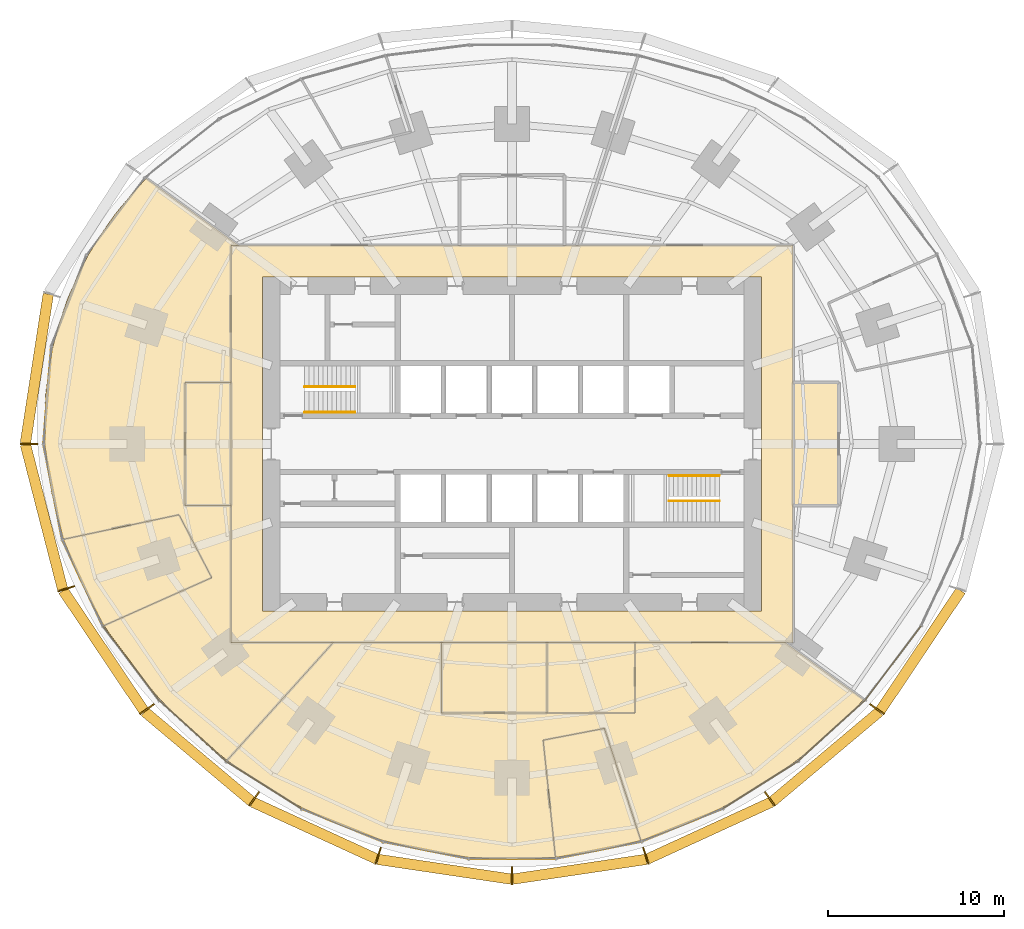
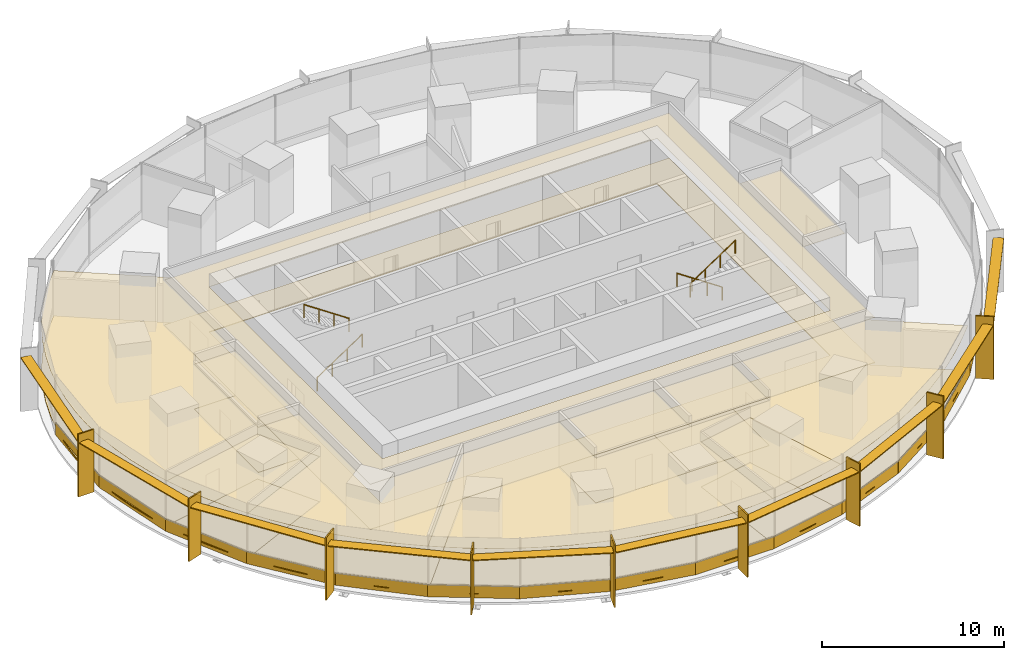
# One storey, part 14 of 15: 31 coverings, 19 shading devices, 4 railings.
"""IFC4 building model written with IfcOpenShell, lengths in metres."""

from ifc_helpers import new_model, si_unit, direction, frame, origin, origin_2d, place, context, subcontext, project, spatial, polyline, rectangle, circle, outline, extrude, material, layer, layer_set, type_object, element, save


model = new_model("IFC4")

# Units and contexts
model_context = context("Model", 3, precision=1e-05, world=origin(), true_north=direction((0.0, 1.0)))
body_context = subcontext(model_context, "Body", "Model", "MODEL_VIEW")
ifc_project = project(units=[si_unit("LENGTHUNIT", "METRE"), si_unit("AREAUNIT", "SQUARE_METRE"), si_unit("VOLUMEUNIT", "CUBIC_METRE"), si_unit("PLANEANGLEUNIT", "RADIAN"), si_unit("MASSUNIT", "GRAM", prefix="KILO")], contexts=[model_context])

# Site, building, storey
site_placement = place(None, origin())
site = spatial("IfcSite", under=ifc_project, at=site_placement, CompositionType="ELEMENT")
building_placement = place(site_placement, origin())
building = spatial("IfcBuilding", under=site, at=building_placement, Name="Marramba Exchange Tower", CompositionType="ELEMENT")
storey_placement = place(building_placement, frame((0.0, 0.0, 65.800048828125)))
storey = spatial("IfcBuildingStorey", under=building, at=storey_placement, Name="L15", CompositionType="ELEMENT", Elevation=65.800048828125)

# Shading devices
ifc_material_1 = material(Name="Aluminium blade, timber-look bronze finish", Category="wood")
ifc_layer_1 = layer(ifc_material_1, 0.080078125)
ifc_layer_set_1 = layer_set([ifc_layer_1], Name="Floor-edge blade 1000x80")
shading_device_type_1 = type_object("IfcShadingDeviceType", Name="Floor-edge blade 1000x80", PredefinedType="USERDEFINED", material=ifc_layer_set_1)
for number, where, z_axis, x_axis, name in (
    (1, (-27.5, 0.0, -0.16015625), (0.0, 0.0, 1.0), (-1.0, 0.0, 0.0), "Floor-edge blade FB1 L15 TC11"),
    (2, (-25.3740234375, -8.24462890625, -0.16015625), (0.0, 0.0, 1.0), (-0.951056516295, -0.309016994375, 0.0), "Floor-edge blade FB1 L15 TC12"),
    (3, (-20.773193359375, -15.092529296875, -0.16015625), (0.0, 0.0, 1.0), (-0.809016994375, -0.587785252292, 0.0), "Floor-edge blade FB1 L15 TC13"),
    (4, (-14.6787109375, -20.20361328125, -0.16015625), (0.0, 0.0, 1.0), (-0.587785252292, -0.809016994375, 0.0), "Floor-edge blade FB1 L15 TC14"),
    (5, (-7.61767578125, -23.444580078125, -0.16015625), (0.0, 0.0, 1.0), (-0.309016994375, -0.951056516295, 0.0), "Floor-edge blade FB1 L15 TC15"),
    (6, (0.0, -24.572021484375, -0.16015625), (0.0, 0.0, 1.0), (0.0, -1.0, 0.0), "Floor-edge blade FB1 L15 TC16"),
    (7, (7.61767578125, -23.444580078125, -0.16015625), (0.0, 0.0, 1.0), (0.309016994375, -0.951056516295, 0.0), "Floor-edge blade FB1 L15 TC17"),
    (8, (14.6787109375, -20.20361328125, -0.16015625), (0.0, 0.0, 1.0), (0.587785252292, -0.809016994375, 0.0), "Floor-edge blade FB1 L15 TC18"),
    (9, (20.773193359375, -15.092529296875, -0.16015625), (0.0, 0.0, 1.0), (0.809016994375, -0.587785252292, 0.0), "Floor-edge blade FB1 L15 TC19"),
):
    element("IfcShadingDevice", number, at=place(storey_placement, frame(where, z_axis=z_axis, x_axis=x_axis)), inside=storey, type_object=shading_device_type_1, Name=name, ObjectType="FIN", PredefinedType="USERDEFINED", context=body_context, shape_type="SweptSolid", body=[
        extrude(rectangle(XDim=1.0, YDim=0.080078125, at=origin_2d()), origin(), (0.0, 0.0, 1.0), 4.199951171875),
    ])

# Coverings
ifc_material_2 = material(Name="Steel raised access floor panels", Category="steel")
ifc_layer_2 = layer(ifc_material_2, 0.050048828125)
ifc_layer_set_2 = layer_set([ifc_layer_2], Name="Raised access floor 300")
covering_type_1 = type_object("IfcCoveringType", Name="Raised access floor 300", PredefinedType="FLOORING", material=ifc_layer_set_2)
covering_1_placement = place(storey_placement, frame((0.0, 0.0, 0.25)))
element("IfcCovering", 10, at=covering_1_placement, inside=storey, type_object=covering_type_1, Name="Raised access floor RAF1 L15 Trading Floor 2", PredefinedType="FLOORING", context=body_context, shape_type="SweptSolid", body=[
    extrude(outline(polyline([(-16.0, 3.5), (-18.60009765625, 3.5), (-18.60009765625, -3.5), (-16.0, -3.5), (-16.0, -11.300048828125), (-10.174560546875, -11.300048828125), (-16.21435546875, -18.0078125), (-17.213623046875, -17.213623046875), (-18.1826171875, -16.371826171875), (-19.119384765625, -15.482421875), (-20.020751953125, -14.5458984375), (-20.88427734375, -13.5625), (-21.7060546875, -12.531982421875), (-22.482177734375, -11.455322265625), (-23.208251953125, -10.3330078125), (-17.08740234375, -7.60791015625), (-18.952880859375, -4.028564453125), (-25.50634765625, -5.421630859375), (-25.9013671875, -4.102294921875), (-26.213623046875, -2.755126953125), (-26.43798828125, -1.385498046875), (-26.570068359375, 0.0), (-26.6064453125, 1.394287109375), (-26.544921875, 2.7900390625), (-26.3837890625, 4.1787109375), (-26.123291015625, 5.552734375), (-25.763916015625, 6.9033203125), (-25.30859375, 8.22314453125), (-24.76025390625, 9.50439453125), (-24.12353515625, 10.740478515625), (-23.40380859375, 11.9248046875), (-22.607177734375, 13.05224609375), (-21.740478515625, 14.118408203125), (-20.810791015625, 15.119873046875), (-16.409912109375, 11.922607421875), (-15.552978515625, 11.300048828125), (-16.0, 11.300048828125), (-16.0, 3.5)])), origin(), (0.0, 0.0, 1.0), 0.050048828125),
])
covering_2_placement = place(storey_placement, frame((0.0, 0.0, 0.25)))
element("IfcCovering", 11, at=covering_2_placement, inside=storey, type_object=covering_type_1, Name="Raised access floor RAF1 L15 Trading Floor 3", PredefinedType="FLOORING", context=body_context, shape_type="SweptSolid", body=[
    extrude(outline(polyline([(20.020751953125, -14.5458984375), (19.119384765625, -15.482421875), (18.1826171875, -16.371826171875), (17.213623046875, -17.213623046875), (16.21435546875, -18.0078125), (15.1865234375, -18.75390625), (14.132080078125, -19.451171875), (13.052490234375, -20.09912109375), (11.94921875, -20.69677734375), (10.82373046875, -21.242919921875), (9.677734375, -21.736328125), (8.512451171875, -22.17578125), (7.330078125, -22.56005859375), (5.259765625, -16.18798828125), (1.771728515625, -16.857177734375), (2.47216796875, -23.5205078125), (1.2373046875, -23.611572265625), (0.0, -23.64208984375), (-1.2373046875, -23.611572265625), (-2.47216796875, -23.5205078125), (-3.701416015625, -23.368896484375), (-4.92236328125, -23.15771484375), (-6.1328125, -22.8876953125), (-7.330078125, -22.56005859375), (-8.512451171875, -22.17578125), (-9.677734375, -21.736328125), (-10.82373046875, -21.242919921875), (-11.94921875, -20.69677734375), (-13.052490234375, -20.09912109375), (-14.132080078125, -19.451171875), (-15.1865234375, -18.75390625), (-16.21435546875, -18.0078125), (-10.174560546875, -11.300048828125), (-4.0, -11.300048828125), (-4.0, -15.300048828125), (2.0, -15.300048828125), (7.0, -15.300048828125), (7.0, -11.300048828125), (15.552978515625, -11.300048828125), (20.020751953125, -14.5458984375)])), origin(), (0.0, 0.0, 1.0), 0.050048828125),
])
covering_3_placement = place(storey_placement, frame((0.0, 0.0, 0.25)))
element("IfcCovering", 12, at=covering_3_placement, inside=storey, type_object=covering_type_1, Name="Raised access floor RAF1 L15 Corridor", PredefinedType="FLOORING", context=body_context, shape_type="SweptSolid", body=[
    extrude(outline(polyline([(-16.0, 11.300048828125), (16.0, 11.300048828125), (16.0, -11.300048828125), (-16.0, -11.300048828125), (-16.0, 11.300048828125)]), holes=[polyline([(-14.199951171875, 9.5), (-14.199951171875, -9.5), (14.199951171875, -9.5), (14.199951171875, 9.5), (-14.199951171875, 9.5)])]), origin(), (0.0, 0.0, 1.0), 0.050048828125),
])
covering_4_placement = place(storey_placement, frame((0.0, 0.0, 0.25)))
element("IfcCovering", 13, at=covering_4_placement, inside=storey, type_object=covering_type_1, Name="Raised access floor RAF1 L15 Firm Principal Office 2", PredefinedType="FLOORING", context=body_context, shape_type="SweptSolid", body=[
    extrude(outline(polyline([(-23.879150390625, -9.166259765625), (-24.489501953125, -7.95703125), (-24.8916015625, -7.0341796875), (-25.033935546875, -6.707763671875), (-25.50634765625, -5.421630859375), (-18.952880859375, -4.028564453125), (-17.08740234375, -7.60791015625), (-23.208251953125, -10.3330078125), (-23.879150390625, -9.166259765625)])), origin(), (0.0, 0.0, 1.0), 0.050048828125),
])
covering_5_placement = place(storey_placement, frame((0.0, 0.0, 0.25)))
element("IfcCovering", 14, at=covering_5_placement, inside=storey, type_object=covering_type_1, Name="Raised access floor RAF1 L15 Firm Principal Office 3", PredefinedType="FLOORING", context=body_context, shape_type="SweptSolid", body=[
    extrude(outline(polyline([(6.1328125, -22.8876953125), (5.89111328125, -22.941650390625), (4.92236328125, -23.15771484375), (4.17138671875, -23.28759765625), (3.701416015625, -23.368896484375), (2.47216796875, -23.5205078125), (1.771728515625, -16.857177734375), (5.259765625, -16.18798828125), (7.330078125, -22.56005859375), (6.1328125, -22.8876953125)])), origin(), (0.0, 0.0, 1.0), 0.050048828125),
])
covering_6_placement = place(storey_placement, frame((0.0, 0.0, 0.25)))
element("IfcCovering", 15, at=covering_6_placement, inside=storey, type_object=covering_type_1, Name="Raised access floor RAF1 L15 Data Room 2", PredefinedType="FLOORING", context=body_context, shape_type="SweptSolid", body=[
    extrude(outline(polyline([(-16.0, -3.5), (-18.60009765625, -3.5), (-18.60009765625, 3.5), (-16.0, 3.5), (-16.0, -3.5)])), origin(), (0.0, 0.0, 1.0), 0.050048828125),
])
covering_7_placement = place(storey_placement, frame((0.0, 0.0, 0.25)))
element("IfcCovering", 16, at=covering_7_placement, inside=storey, type_object=covering_type_1, Name="Raised access floor RAF1 L15 Meeting Room 2", PredefinedType="FLOORING", context=body_context, shape_type="SweptSolid", body=[
    extrude(outline(polyline([(2.0, -15.300048828125), (-4.0, -15.300048828125), (-4.0, -11.300048828125), (2.0, -11.300048828125), (2.0, -15.300048828125)])), origin(), (0.0, 0.0, 1.0), 0.050048828125),
])
covering_8_placement = place(storey_placement, frame((0.0, 0.0, 0.25)))
element("IfcCovering", 17, at=covering_8_placement, inside=storey, type_object=covering_type_1, Name="Raised access floor RAF1 L15 Pantry", PredefinedType="FLOORING", context=body_context, shape_type="SweptSolid", body=[
    extrude(outline(polyline([(7.0, -15.300048828125), (2.0, -15.300048828125), (2.0, -11.300048828125), (7.0, -11.300048828125), (7.0, -15.300048828125)])), origin(), (0.0, 0.0, 1.0), 0.050048828125),
])

# Shading devices
ifc_material_3 = material(Name="Aluminium sunshade, bronze anodised", Category="aluminium")
ifc_layer_3 = layer(ifc_material_3, 0.06005859375)
ifc_layer_set_3 = layer_set([ifc_layer_3], Name="SUNSHADE blade 600x60")
shading_device_type_2 = type_object("IfcShadingDeviceType", Name="SUNSHADE blade 600x60", PredefinedType="USERDEFINED", material=ifc_layer_set_3)
shading_device_1_placement = place(storey_placement, frame((-27.04150390625, 4.2861328125, 3.4599609375), z_axis=(0.0, 0.0, 1.0), x_axis=(-0.151825486228, -0.988407315701, 0.0)))
element("IfcShadingDevice", 18, at=shading_device_1_placement, inside=storey, type_object=shading_device_type_2, Name="Sunshade SS1 L15 bay 10", ObjectType="SUNSHADE", PredefinedType="USERDEFINED", context=body_context, shape_type="SweptSolid", body=[
    extrude(rectangle(XDim=8.593017578125, YDim=0.60009765625, at=origin_2d()), origin(), (0.0, 0.0, 1.0), 0.06005859375),
])
shading_device_2_placement = place(storey_placement, frame((-26.632080078125, -4.153076171875, 3.4599609375), z_axis=(0.0, 0.0, 1.0), x_axis=(0.249024641331, -0.968497149201, 0.0)))
element("IfcShadingDevice", 19, at=shading_device_2_placement, inside=storey, type_object=shading_device_type_2, Name="Sunshade SS1 L15 bay 11", ObjectType="SUNSHADE", PredefinedType="USERDEFINED", context=body_context, shape_type="SweptSolid", body=[
    extrude(rectangle(XDim=8.49658203125, YDim=0.60009765625, at=origin_2d()), origin(), (0.0, 0.0, 1.0), 0.06005859375),
])
shading_device_3_placement = place(storey_placement, frame((-23.24951171875, -11.75830078125, 3.4599609375), z_axis=(0.0, 0.0, 1.0), x_axis=(0.556924164761, -0.830563347798, 0.0)))
element("IfcShadingDevice", 20, at=shading_device_3_placement, inside=storey, type_object=shading_device_type_2, Name="Sunshade SS1 L15 bay 12", ObjectType="SUNSHADE", PredefinedType="USERDEFINED", context=body_context, shape_type="SweptSolid", body=[
    extrude(rectangle(XDim=8.232177734375, YDim=0.60009765625, at=origin_2d()), origin(), (0.0, 0.0, 1.0), 0.06005859375),
])
shading_device_4_placement = place(storey_placement, frame((-17.86572265625, -17.787841796875, 3.4599609375), z_axis=(0.0, 0.0, 1.0), x_axis=(0.765776068523, -0.643107310546, 0.0)))
element("IfcShadingDevice", 21, at=shading_device_4_placement, inside=storey, type_object=shading_device_type_2, Name="Sunshade SS1 L15 bay 13", ObjectType="SUNSHADE", PredefinedType="USERDEFINED", context=body_context, shape_type="SweptSolid", body=[
    extrude(rectangle(XDim=7.936279296875, YDim=0.60009765625, at=origin_2d()), origin(), (0.0, 0.0, 1.0), 0.06005859375),
])
shading_device_5_placement = place(storey_placement, frame((-11.23779296875, -22.0, 3.4599609375), z_axis=(0.0, 0.0, 1.0), x_axis=(0.908703542008, -0.417442059144, 0.0)))
element("IfcShadingDevice", 22, at=shading_device_5_placement, inside=storey, type_object=shading_device_type_2, Name="Sunshade SS1 L15 bay 14", ObjectType="SUNSHADE", PredefinedType="USERDEFINED", context=body_context, shape_type="SweptSolid", body=[
    extrude(rectangle(XDim=7.751953125, YDim=0.60009765625, at=origin_2d()), origin(), (0.0, 0.0, 1.0), 0.06005859375),
])
for number, where, z_axis, x_axis, name in (
    (23, (-3.839599609375, -24.203369140625, 3.4599609375), (0.0, 0.0, 1.0), (0.989212895923, -0.146484970356, 0.0), "Sunshade SS1 L15 bay 15"),
    (24, (3.839599609375, -24.203369140625, 3.4599609375), (0.0, 0.0, 1.0), (0.989212895923, 0.146484970356, 0.0), "Sunshade SS1 L15 bay 16"),
):
    element("IfcShadingDevice", number, at=place(storey_placement, frame(where, z_axis=z_axis, x_axis=x_axis)), inside=storey, type_object=shading_device_type_2, Name=name, ObjectType="SUNSHADE", PredefinedType="USERDEFINED", context=body_context, shape_type="SweptSolid", body=[
        extrude(rectangle(XDim=7.68310546875, YDim=0.60009765625, at=origin_2d()), origin(), (0.0, 0.0, 1.0), 0.06005859375),
    ])
shading_device_6_placement = place(storey_placement, frame((11.23779296875, -22.0, 3.4599609375), z_axis=(0.0, 0.0, 1.0), x_axis=(0.908703542008, 0.417442059144, 0.0)))
element("IfcShadingDevice", 25, at=shading_device_6_placement, inside=storey, type_object=shading_device_type_2, Name="Sunshade SS1 L15 bay 17", ObjectType="SUNSHADE", PredefinedType="USERDEFINED", context=body_context, shape_type="SweptSolid", body=[
    extrude(rectangle(XDim=7.751953125, YDim=0.60009765625, at=origin_2d()), origin(), (0.0, 0.0, 1.0), 0.06005859375),
])
shading_device_7_placement = place(storey_placement, frame((17.86572265625, -17.787841796875, 3.4599609375), z_axis=(0.0, 0.0, 1.0), x_axis=(0.765776068523, 0.643107310546, 0.0)))
element("IfcShadingDevice", 26, at=shading_device_7_placement, inside=storey, type_object=shading_device_type_2, Name="Sunshade SS1 L15 bay 18", ObjectType="SUNSHADE", PredefinedType="USERDEFINED", context=body_context, shape_type="SweptSolid", body=[
    extrude(rectangle(XDim=7.936279296875, YDim=0.60009765625, at=origin_2d()), origin(), (0.0, 0.0, 1.0), 0.06005859375),
])
shading_device_8_placement = place(storey_placement, frame((23.24951171875, -11.75830078125, 3.4599609375), z_axis=(0.0, 0.0, 1.0), x_axis=(0.556924164761, 0.830563347798, 0.0)))
element("IfcShadingDevice", 27, at=shading_device_8_placement, inside=storey, type_object=shading_device_type_2, Name="Sunshade SS1 L15 bay 19", ObjectType="SUNSHADE", PredefinedType="USERDEFINED", context=body_context, shape_type="SweptSolid", body=[
    extrude(rectangle(XDim=8.232177734375, YDim=0.60009765625, at=origin_2d()), origin(), (0.0, 0.0, 1.0), 0.06005859375),
])

# Coverings
ifc_material_4 = material(Name="Aluminium spandrel panel, bronze anodised, insulated", Category="aluminium")
ifc_layer_4 = layer(ifc_material_4, 0.050048828125)
ifc_layer_set_4 = layer_set([ifc_layer_4], Name="Spandrel panel 800")
covering_type_2 = type_object("IfcCoveringType", Name="Spandrel panel 800", PredefinedType="CLADDING", material=ifc_layer_set_4)
covering_9_placement = place(storey_placement, frame((-26.42578125, 2.78466796875, 0.0), z_axis=(0.0, 0.0, 1.0), x_axis=(-0.080275227657, -0.996772736297, 0.0)))
element("IfcCovering", 28, at=covering_9_placement, inside=storey, type_object=covering_type_2, Name="Spandrel panel SP1 L15 F15", PredefinedType="CLADDING", context=body_context, shape_type="SweptSolid", body=[
    extrude(rectangle(XDim=5.58740234375, YDim=0.050048828125, at=origin_2d()), origin(), (0.0, 0.0, 1.0), 0.800048828125),
])
covering_10_placement = place(storey_placement, frame((-26.117431640625, -2.718994140625, 0.0), z_axis=(0.0, 0.0, 1.0), x_axis=(0.19224858127, -0.981346260501, 0.0)))
element("IfcCovering", 29, at=covering_10_placement, inside=storey, type_object=covering_type_2, Name="Spandrel panel SP1 L15 F16", PredefinedType="CLADDING", context=body_context, shape_type="SweptSolid", body=[
    extrude(rectangle(XDim=5.54150390625, YDim=0.050048828125, at=origin_2d()), origin(), (0.0, 0.0, 1.0), 0.800048828125),
])
covering_11_placement = place(storey_placement, frame((-24.432861328125, -7.90185546875, 0.0), z_axis=(0.0, 0.0, 1.0), x_axis=(0.423477213559, -0.905906755464, 0.0)))
element("IfcCovering", 30, at=covering_11_placement, inside=storey, type_object=covering_type_2, Name="Spandrel panel SP1 L15 F17", PredefinedType="CLADDING", context=body_context, shape_type="SweptSolid", body=[
    extrude(rectangle(XDim=5.439208984375, YDim=0.050048828125, at=origin_2d()), origin(), (0.0, 0.0, 1.0), 0.800048828125),
])
covering_12_placement = place(storey_placement, frame((-21.683349609375, -12.479248046875, 0.0), z_axis=(0.0, 0.0, 1.0), x_axis=(0.603040469481, -0.797710594243, 0.0)))
element("IfcCovering", 31, at=covering_12_placement, inside=storey, type_object=covering_type_2, Name="Spandrel panel SP1 L15 F18", PredefinedType="CLADDING", context=body_context, shape_type="SweptSolid", body=[
    extrude(rectangle(XDim=5.299560546875, YDim=0.050048828125, at=origin_2d()), origin(), (0.0, 0.0, 1.0), 0.800048828125),
])
covering_13_placement = place(storey_placement, frame((-18.1767578125, -16.330078125, 0.0), z_axis=(0.0, 0.0, 1.0), x_axis=(0.739589582203, -0.673058132628, 0.0)))
element("IfcCovering", 32, at=covering_13_placement, inside=storey, type_object=covering_type_2, Name="Spandrel panel SP1 L15 F19", PredefinedType="CLADDING", context=body_context, shape_type="SweptSolid", body=[
    extrude(rectangle(XDim=5.161865234375, YDim=0.050048828125, at=origin_2d()), origin(), (0.0, 0.0, 1.0), 0.800048828125),
])
covering_14_placement = place(storey_placement, frame((-14.128662109375, -19.416748046875, 0.0), z_axis=(0.0, 0.0, 1.0), x_axis=(0.845790829799, -0.533514641062, 0.0)))
element("IfcCovering", 33, at=covering_14_placement, inside=storey, type_object=covering_type_2, Name="Spandrel panel SP1 L15 F20", PredefinedType="CLADDING", context=body_context, shape_type="SweptSolid", body=[
    extrude(rectangle(XDim=5.05859375, YDim=0.050048828125, at=origin_2d()), origin(), (0.0, 0.0, 1.0), 0.800048828125),
])
covering_15_placement = place(storey_placement, frame((-9.672119140625, -21.701171875, 0.0), z_axis=(0.0, 0.0, 1.0), x_axis=(0.927340675001, -0.374218215069, 0.0)))
element("IfcCovering", 34, at=covering_15_placement, inside=storey, type_object=covering_type_2, Name="Spandrel panel SP1 L15 F21", PredefinedType="CLADDING", context=body_context, shape_type="SweptSolid", body=[
    extrude(rectangle(XDim=4.99755859375, YDim=0.050048828125, at=origin_2d()), origin(), (0.0, 0.0, 1.0), 0.800048828125),
])
covering_16_placement = place(storey_placement, frame((-4.917724609375, -23.1181640625, 0.0), z_axis=(0.0, 0.0, 1.0), x_axis=(0.981009201842, -0.193961196898, 0.0)))
element("IfcCovering", 35, at=covering_16_placement, inside=storey, type_object=covering_type_2, Name="Spandrel panel SP1 L15 F22", PredefinedType="CLADDING", context=body_context, shape_type="SweptSolid", body=[
    extrude(rectangle(XDim=4.96875, YDim=0.050048828125, at=origin_2d()), origin(), (0.0, 0.0, 1.0), 0.800048828125),
])
covering_17_placement = place(storey_placement, frame((0.0, -23.599853515625, 0.0), z_axis=(0.0, 0.0, 1.0), x_axis=(1.0, 0.0, 0.0)))
element("IfcCovering", 36, at=covering_17_placement, inside=storey, type_object=covering_type_2, Name="Spandrel panel SP1 L15 F23", PredefinedType="CLADDING", context=body_context, shape_type="SweptSolid", body=[
    extrude(rectangle(XDim=4.9609375, YDim=0.050048828125, at=origin_2d()), origin(), (0.0, 0.0, 1.0), 0.800048828125),
])
covering_18_placement = place(storey_placement, frame((4.917724609375, -23.1181640625, 0.0), z_axis=(0.0, 0.0, 1.0), x_axis=(0.981009201842, 0.193961196898, 0.0)))
element("IfcCovering", 37, at=covering_18_placement, inside=storey, type_object=covering_type_2, Name="Spandrel panel SP1 L15 F24", PredefinedType="CLADDING", context=body_context, shape_type="SweptSolid", body=[
    extrude(rectangle(XDim=4.96875, YDim=0.050048828125, at=origin_2d()), origin(), (0.0, 0.0, 1.0), 0.800048828125),
])
covering_19_placement = place(storey_placement, frame((9.672119140625, -21.701171875, 0.0), z_axis=(0.0, 0.0, 1.0), x_axis=(0.927340675001, 0.374218215069, 0.0)))
element("IfcCovering", 38, at=covering_19_placement, inside=storey, type_object=covering_type_2, Name="Spandrel panel SP1 L15 F25", PredefinedType="CLADDING", context=body_context, shape_type="SweptSolid", body=[
    extrude(rectangle(XDim=4.99755859375, YDim=0.050048828125, at=origin_2d()), origin(), (0.0, 0.0, 1.0), 0.800048828125),
])
covering_20_placement = place(storey_placement, frame((14.128662109375, -19.416748046875, 0.0), z_axis=(0.0, 0.0, 1.0), x_axis=(0.845790829799, 0.533514641062, 0.0)))
element("IfcCovering", 39, at=covering_20_placement, inside=storey, type_object=covering_type_2, Name="Spandrel panel SP1 L15 F26", PredefinedType="CLADDING", context=body_context, shape_type="SweptSolid", body=[
    extrude(rectangle(XDim=5.05859375, YDim=0.050048828125, at=origin_2d()), origin(), (0.0, 0.0, 1.0), 0.800048828125),
])
covering_21_placement = place(storey_placement, frame((18.1767578125, -16.330078125, 0.0), z_axis=(0.0, 0.0, 1.0), x_axis=(0.739589582203, 0.673058132628, 0.0)))
element("IfcCovering", 40, at=covering_21_placement, inside=storey, type_object=covering_type_2, Name="Spandrel panel SP1 L15 F27", PredefinedType="CLADDING", context=body_context, shape_type="SweptSolid", body=[
    extrude(rectangle(XDim=5.161865234375, YDim=0.050048828125, at=origin_2d()), origin(), (0.0, 0.0, 1.0), 0.800048828125),
])
covering_22_placement = place(storey_placement, frame((21.683349609375, -12.479248046875, 0.0), z_axis=(0.0, 0.0, 1.0), x_axis=(0.603040469481, 0.797710594243, 0.0)))
element("IfcCovering", 41, at=covering_22_placement, inside=storey, type_object=covering_type_2, Name="Spandrel panel SP1 L15 F28", PredefinedType="CLADDING", context=body_context, shape_type="SweptSolid", body=[
    extrude(rectangle(XDim=5.299560546875, YDim=0.050048828125, at=origin_2d()), origin(), (0.0, 0.0, 1.0), 0.800048828125),
])

# Railings
ifc_material_5 = material(Name="Stainless steel handrail", Category="steel")
railing_type = type_object("IfcRailingType", Name="Stair handrail 900", PredefinedType="HANDRAIL", material=ifc_material_5)
railing_1_placement = place(storey_placement, frame((-11.800048828125, 1.800048828125, 0.175048828125)))
element("IfcRailing", 42, at=railing_1_placement, inside=storey, type_object=railing_type, Name="Handrail HR1 ST1 L15 flight 1", PredefinedType="HANDRAIL", context=body_context, shape_type="SweptSolid", body=[
    extrude(circle(Radius=0.02392578125, at=origin_2d()), frame((0.0, 0.0, 0.8759765625), z_axis=(0.829623704247, 0.0, 0.558322943601), x_axis=(0.0, 1.0, 0.0)), (0.0, 0.0, 1.0), 3.447509765625),
    extrude(circle(Radius=0.02099609375, at=origin_2d()), origin(), (0.0, 0.0, 1.0), 0.851806640625),
    extrude(circle(Radius=0.02099609375, at=origin_2d()), frame((0.953369140625, 0.0, 0.6416015625)), (0.0, 0.0, 1.0), 0.851806640625),
    extrude(circle(Radius=0.02099609375, at=origin_2d()), frame((1.90673828125, 0.0, 1.283203125)), (0.0, 0.0, 1.0), 0.851806640625),
    extrude(circle(Radius=0.02099609375, at=origin_2d()), frame((2.860107421875, 0.0, 1.9248046875)), (0.0, 0.0, 1.0), 0.851806640625),
])
railing_2_placement = place(storey_placement, frame((-8.93994140625, 3.25, 2.27490234375)))
element("IfcRailing", 43, at=railing_2_placement, inside=storey, type_object=railing_type, Name="Handrail HR1 ST1 L15 flight 2", PredefinedType="HANDRAIL", context=body_context, shape_type="SweptSolid", body=[
    extrude(circle(Radius=0.02392578125, at=origin_2d()), frame((0.0, 0.0, 0.8759765625), z_axis=(-0.829590901723, 0.0, 0.558371682465), x_axis=(0.0, -1.0, 0.0)), (0.0, 0.0, 1.0), 3.447509765625),
    extrude(circle(Radius=0.02099609375, at=origin_2d()), origin(), (0.0, 0.0, 1.0), 0.851806640625),
    extrude(circle(Radius=0.02099609375, at=origin_2d()), frame((-0.953369140625, 0.0, 0.6416015625)), (0.0, 0.0, 1.0), 0.851806640625),
    extrude(circle(Radius=0.02099609375, at=origin_2d()), frame((-1.90673828125, 0.0, 1.283447265625)), (0.0, 0.0, 1.0), 0.851806640625),
    extrude(circle(Radius=0.02099609375, at=origin_2d()), frame((-2.860107421875, 0.0, 1.925048828125)), (0.0, 0.0, 1.0), 0.851806640625),
])
railing_3_placement = place(storey_placement, frame((11.800048828125, -1.800048828125, 0.175048828125)))
element("IfcRailing", 44, at=railing_3_placement, inside=storey, type_object=railing_type, Name="Handrail HR1 ST2 L15 flight 1", PredefinedType="HANDRAIL", context=body_context, shape_type="SweptSolid", body=[
    extrude(circle(Radius=0.02392578125, at=origin_2d()), frame((0.0, 0.0, 0.8759765625), z_axis=(-0.829623704247, 0.0, 0.558322943601), x_axis=(0.0, -1.0, 0.0)), (0.0, 0.0, 1.0), 3.447509765625),
    extrude(circle(Radius=0.02099609375, at=origin_2d()), origin(), (0.0, 0.0, 1.0), 0.851806640625),
    extrude(circle(Radius=0.02099609375, at=origin_2d()), frame((-0.953369140625, 0.0, 0.6416015625)), (0.0, 0.0, 1.0), 0.851806640625),
    extrude(circle(Radius=0.02099609375, at=origin_2d()), frame((-1.90673828125, 0.0, 1.283203125)), (0.0, 0.0, 1.0), 0.851806640625),
    extrude(circle(Radius=0.02099609375, at=origin_2d()), frame((-2.860107421875, 0.0, 1.9248046875)), (0.0, 0.0, 1.0), 0.851806640625),
])
railing_4_placement = place(storey_placement, frame((8.93994140625, -3.25, 2.27490234375)))
element("IfcRailing", 45, at=railing_4_placement, inside=storey, type_object=railing_type, Name="Handrail HR1 ST2 L15 flight 2", PredefinedType="HANDRAIL", context=body_context, shape_type="SweptSolid", body=[
    extrude(circle(Radius=0.02392578125, at=origin_2d()), frame((0.0, 0.0, 0.8759765625), z_axis=(0.829590901723, 0.0, 0.558371682465), x_axis=(0.0, 1.0, 0.0)), (0.0, 0.0, 1.0), 3.447509765625),
    extrude(circle(Radius=0.02099609375, at=origin_2d()), origin(), (0.0, 0.0, 1.0), 0.851806640625),
    extrude(circle(Radius=0.02099609375, at=origin_2d()), frame((0.953369140625, 0.0, 0.6416015625)), (0.0, 0.0, 1.0), 0.851806640625),
    extrude(circle(Radius=0.02099609375, at=origin_2d()), frame((1.90673828125, 0.0, 1.283447265625)), (0.0, 0.0, 1.0), 0.851806640625),
    extrude(circle(Radius=0.02099609375, at=origin_2d()), frame((2.860107421875, 0.0, 1.925048828125)), (0.0, 0.0, 1.0), 0.851806640625),
])

# Coverings
ifc_material_6 = material(Name="Mineral fibre ceiling tiles", Category="gypsum")
ifc_layer_5 = layer(ifc_material_6, 0.02001953125)
ifc_layer_set_5 = layer_set([ifc_layer_5], Name="Suspended ceiling 20")
covering_type_3 = type_object("IfcCoveringType", Name="Suspended ceiling 20", PredefinedType="CEILING", material=ifc_layer_set_5)
covering_23_placement = place(storey_placement, frame((0.0, 0.0, 3.300048828125)))
element("IfcCovering", 46, at=covering_23_placement, inside=storey, type_object=covering_type_3, Name="Ceiling CL1 L15 Trading Floor 2", PredefinedType="CEILING", context=body_context, shape_type="SweptSolid", body=[
    extrude(outline(polyline([(-16.0, 3.5), (-18.60009765625, 3.5), (-18.60009765625, -3.5), (-16.0, -3.5), (-16.0, -11.300048828125), (-10.174560546875, -11.300048828125), (-16.21435546875, -18.0078125), (-17.213623046875, -17.213623046875), (-18.1826171875, -16.371826171875), (-19.119384765625, -15.482421875), (-20.020751953125, -14.5458984375), (-20.88427734375, -13.5625), (-21.7060546875, -12.531982421875), (-22.482177734375, -11.455322265625), (-23.208251953125, -10.3330078125), (-17.08740234375, -7.60791015625), (-18.952880859375, -4.028564453125), (-25.50634765625, -5.421630859375), (-25.9013671875, -4.102294921875), (-26.213623046875, -2.755126953125), (-26.43798828125, -1.385498046875), (-26.570068359375, 0.0), (-26.6064453125, 1.394287109375), (-26.544921875, 2.7900390625), (-26.3837890625, 4.1787109375), (-26.123291015625, 5.552734375), (-25.763916015625, 6.9033203125), (-25.30859375, 8.22314453125), (-24.76025390625, 9.50439453125), (-24.12353515625, 10.740478515625), (-23.40380859375, 11.9248046875), (-22.607177734375, 13.05224609375), (-21.740478515625, 14.118408203125), (-20.810791015625, 15.119873046875), (-16.409912109375, 11.922607421875), (-15.552978515625, 11.300048828125), (-16.0, 11.300048828125), (-16.0, 3.5)])), origin(), (0.0, 0.0, 1.0), 0.02001953125),
])
covering_24_placement = place(storey_placement, frame((0.0, 0.0, 3.300048828125)))
element("IfcCovering", 47, at=covering_24_placement, inside=storey, type_object=covering_type_3, Name="Ceiling CL1 L15 Trading Floor 3", PredefinedType="CEILING", context=body_context, shape_type="SweptSolid", body=[
    extrude(outline(polyline([(20.020751953125, -14.5458984375), (19.119384765625, -15.482421875), (18.1826171875, -16.371826171875), (17.213623046875, -17.213623046875), (16.21435546875, -18.0078125), (15.1865234375, -18.75390625), (14.132080078125, -19.451171875), (13.052490234375, -20.09912109375), (11.94921875, -20.69677734375), (10.82373046875, -21.242919921875), (9.677734375, -21.736328125), (8.512451171875, -22.17578125), (7.330078125, -22.56005859375), (5.259765625, -16.18798828125), (1.771728515625, -16.857177734375), (2.47216796875, -23.5205078125), (1.2373046875, -23.611572265625), (0.0, -23.64208984375), (-1.2373046875, -23.611572265625), (-2.47216796875, -23.5205078125), (-3.701416015625, -23.368896484375), (-4.92236328125, -23.15771484375), (-6.1328125, -22.8876953125), (-7.330078125, -22.56005859375), (-8.512451171875, -22.17578125), (-9.677734375, -21.736328125), (-10.82373046875, -21.242919921875), (-11.94921875, -20.69677734375), (-13.052490234375, -20.09912109375), (-14.132080078125, -19.451171875), (-15.1865234375, -18.75390625), (-16.21435546875, -18.0078125), (-10.174560546875, -11.300048828125), (-4.0, -11.300048828125), (-4.0, -15.300048828125), (2.0, -15.300048828125), (7.0, -15.300048828125), (7.0, -11.300048828125), (15.552978515625, -11.300048828125), (20.020751953125, -14.5458984375)])), origin(), (0.0, 0.0, 1.0), 0.02001953125),
])
covering_25_placement = place(storey_placement, frame((0.0, 0.0, 3.300048828125)))
element("IfcCovering", 48, at=covering_25_placement, inside=storey, type_object=covering_type_3, Name="Ceiling CL1 L15 Corridor", PredefinedType="CEILING", context=body_context, shape_type="SweptSolid", body=[
    extrude(outline(polyline([(-16.0, 11.300048828125), (16.0, 11.300048828125), (16.0, -11.300048828125), (-16.0, -11.300048828125), (-16.0, 11.300048828125)]), holes=[polyline([(-14.199951171875, 9.5), (-14.199951171875, -9.5), (14.199951171875, -9.5), (14.199951171875, 9.5), (-14.199951171875, 9.5)])]), origin(), (0.0, 0.0, 1.0), 0.02001953125),
])
covering_26_placement = place(storey_placement, frame((0.0, 0.0, 3.300048828125)))
element("IfcCovering", 49, at=covering_26_placement, inside=storey, type_object=covering_type_3, Name="Ceiling CL1 L15 Firm Principal Office 2", PredefinedType="CEILING", context=body_context, shape_type="SweptSolid", body=[
    extrude(outline(polyline([(-23.879150390625, -9.166259765625), (-24.489501953125, -7.95703125), (-24.8916015625, -7.0341796875), (-25.033935546875, -6.707763671875), (-25.50634765625, -5.421630859375), (-18.952880859375, -4.028564453125), (-17.08740234375, -7.60791015625), (-23.208251953125, -10.3330078125), (-23.879150390625, -9.166259765625)])), origin(), (0.0, 0.0, 1.0), 0.02001953125),
])
covering_27_placement = place(storey_placement, frame((0.0, 0.0, 3.300048828125)))
element("IfcCovering", 50, at=covering_27_placement, inside=storey, type_object=covering_type_3, Name="Ceiling CL1 L15 Firm Principal Office 3", PredefinedType="CEILING", context=body_context, shape_type="SweptSolid", body=[
    extrude(outline(polyline([(6.1328125, -22.8876953125), (5.89111328125, -22.941650390625), (4.92236328125, -23.15771484375), (4.17138671875, -23.28759765625), (3.701416015625, -23.368896484375), (2.47216796875, -23.5205078125), (1.771728515625, -16.857177734375), (5.259765625, -16.18798828125), (7.330078125, -22.56005859375), (6.1328125, -22.8876953125)])), origin(), (0.0, 0.0, 1.0), 0.02001953125),
])
covering_28_placement = place(storey_placement, frame((0.0, 0.0, 3.300048828125)))
element("IfcCovering", 51, at=covering_28_placement, inside=storey, type_object=covering_type_3, Name="Ceiling CL1 L15 Data Room 1", PredefinedType="CEILING", context=body_context, shape_type="SweptSolid", body=[
    extrude(outline(polyline([(18.60009765625, -3.5), (16.0, -3.5), (16.0, 3.5), (18.60009765625, 3.5), (18.60009765625, -3.5)])), origin(), (0.0, 0.0, 1.0), 0.02001953125),
])
covering_29_placement = place(storey_placement, frame((0.0, 0.0, 3.300048828125)))
element("IfcCovering", 52, at=covering_29_placement, inside=storey, type_object=covering_type_3, Name="Ceiling CL1 L15 Data Room 2", PredefinedType="CEILING", context=body_context, shape_type="SweptSolid", body=[
    extrude(outline(polyline([(-16.0, -3.5), (-18.60009765625, -3.5), (-18.60009765625, 3.5), (-16.0, 3.5), (-16.0, -3.5)])), origin(), (0.0, 0.0, 1.0), 0.02001953125),
])
covering_30_placement = place(storey_placement, frame((0.0, 0.0, 3.300048828125)))
element("IfcCovering", 53, at=covering_30_placement, inside=storey, type_object=covering_type_3, Name="Ceiling CL1 L15 Meeting Room 2", PredefinedType="CEILING", context=body_context, shape_type="SweptSolid", body=[
    extrude(outline(polyline([(2.0, -15.300048828125), (-4.0, -15.300048828125), (-4.0, -11.300048828125), (2.0, -11.300048828125), (2.0, -15.300048828125)])), origin(), (0.0, 0.0, 1.0), 0.02001953125),
])
covering_31_placement = place(storey_placement, frame((0.0, 0.0, 3.300048828125)))
element("IfcCovering", 54, at=covering_31_placement, inside=storey, type_object=covering_type_3, Name="Ceiling CL1 L15 Pantry", PredefinedType="CEILING", context=body_context, shape_type="SweptSolid", body=[
    extrude(outline(polyline([(7.0, -15.300048828125), (2.0, -15.300048828125), (2.0, -11.300048828125), (7.0, -11.300048828125), (7.0, -15.300048828125)])), origin(), (0.0, 0.0, 1.0), 0.02001953125),
])

save(model, "model.ifc")
